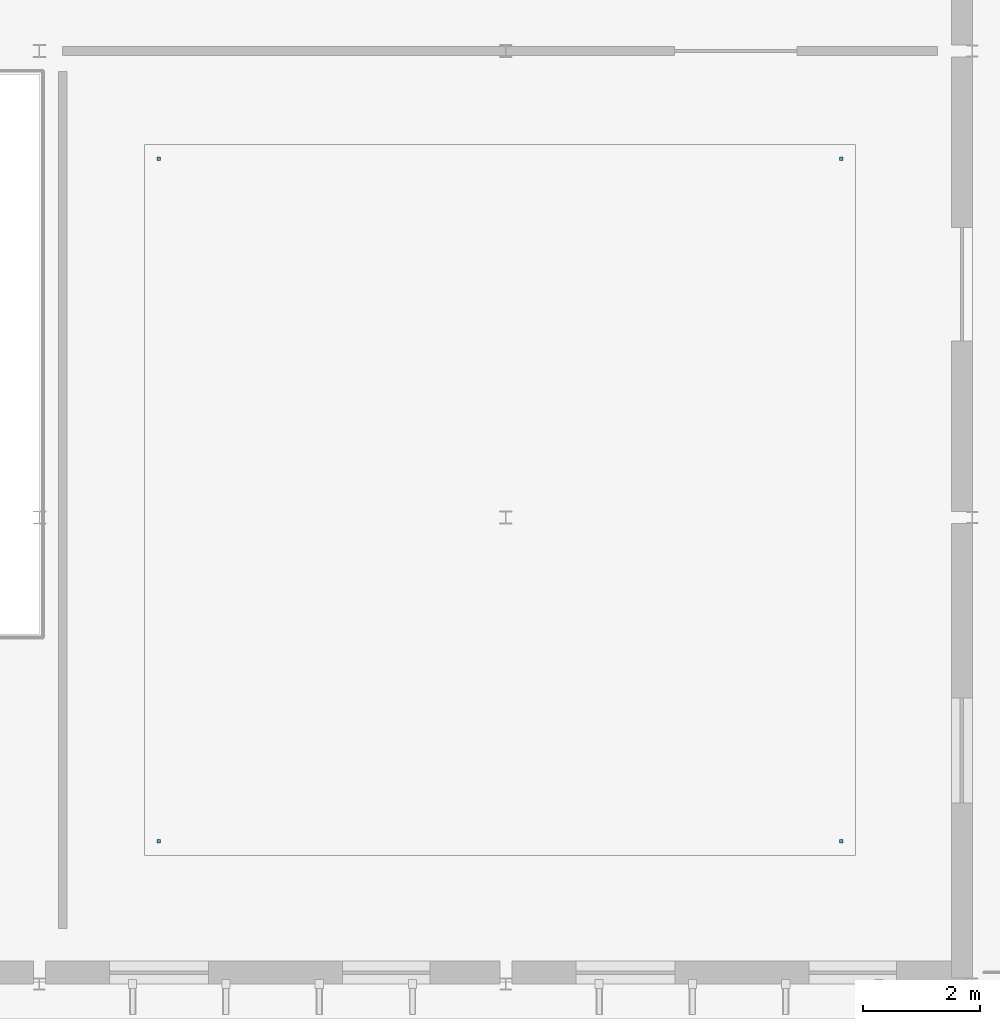
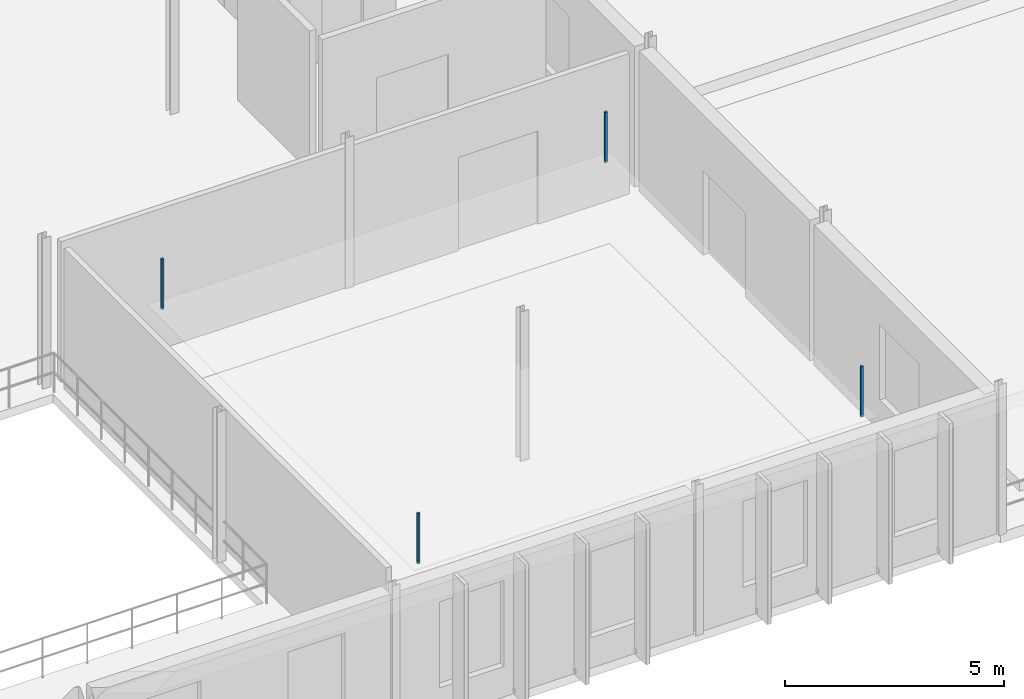
# One storey, part 49 of 67: 4 discrete accessories.
"""IFC4 building model written with IfcOpenShell, lengths in metres."""

from ifc_helpers import new_model, si_unit, direction, frame, origin, origin_2d, place, context, subcontext, project, spatial, rectangle, extrude, material, type_object, element, save


model = new_model("IFC4")

# Units and contexts
model_context = context("Model", 3, precision=1e-05, world=origin(), true_north=direction((0.0, 1.0)))
body_context = subcontext(model_context, "Body", "Model", "MODEL_VIEW")
ifc_project = project(units=[si_unit("LENGTHUNIT", "METRE"), si_unit("AREAUNIT", "SQUARE_METRE"), si_unit("VOLUMEUNIT", "CUBIC_METRE"), si_unit("PLANEANGLEUNIT", "RADIAN"), si_unit("MASSUNIT", "GRAM", prefix="KILO")], contexts=[model_context])

# Site, building, storey
site_placement = place(None, origin())
site = spatial("IfcSite", under=ifc_project, at=site_placement, CompositionType="ELEMENT")
building_placement = place(site_placement, origin())
building = spatial("IfcBuilding", under=site, at=building_placement, Name="Sundkrona Museum", CompositionType="ELEMENT")
storey_placement = place(building_placement, frame((0.0, 0.0, 21.800048828125)))
storey = spatial("IfcBuildingStorey", under=building, at=storey_placement, Name="L04", CompositionType="ELEMENT", Elevation=21.800048828125)

# Discrete accessories
ifc_material = material(Name="Stainless Steel EN 1.4404 Cleat", Category="steel")
discrete_accessory_type = type_object("IfcDiscreteAccessoryType", Name="BRK-FIN-01", PredefinedType="BRACKET", material=ifc_material)
for number, where, z_axis, x_axis, name in (
    (1, (42.050048828125, 80.449951171875, 2.550048828125), (0.0, 0.0, 1.0), (1.0, 0.0, 0.0), "L04 Botanical Illustration Gallery Ceiling Hanger 1"),
    (2, (53.75, 80.449951171875, 2.550048828125), (0.0, 0.0, 1.0), (1.0, 0.0, 0.0), "L04 Botanical Illustration Gallery Ceiling Hanger 2"),
    (3, (53.75, 92.14990234375, 2.550048828125), (0.0, 0.0, 1.0), (1.0, 0.0, 0.0), "L04 Botanical Illustration Gallery Ceiling Hanger 3"),
    (4, (42.050048828125, 92.14990234375, 2.550048828125), (0.0, 0.0, 1.0), (1.0, 0.0, 0.0), "L04 Botanical Illustration Gallery Ceiling Hanger 4"),
):
    element("IfcDiscreteAccessory", number, at=place(storey_placement, frame(where, z_axis=z_axis, x_axis=x_axis)), inside=storey, type_object=discrete_accessory_type, Name=name, PredefinedType="BRACKET", context=body_context, shape_type="SweptSolid", body=[
        extrude(rectangle(XDim=0.06005859375, YDim=0.06005859375, at=origin_2d()), origin(), (0.0, 0.0, 1.0), 1.39990234375),
    ])

save(model, "model.ifc")
